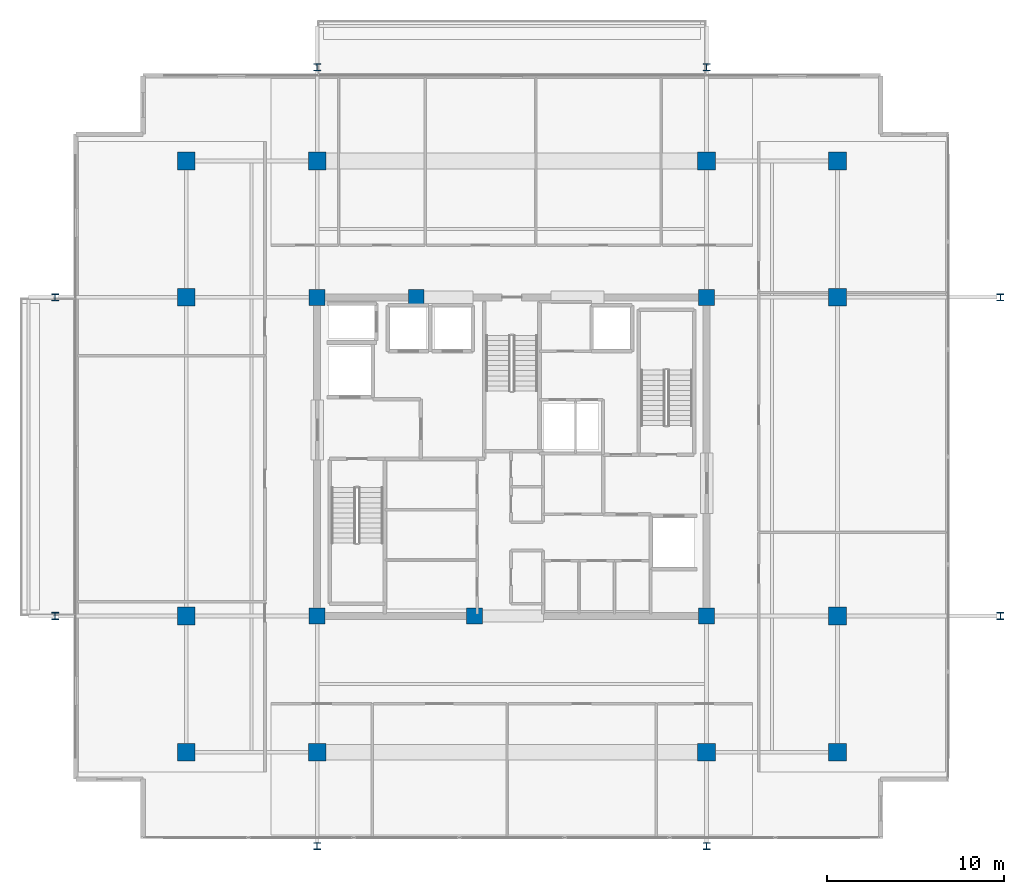
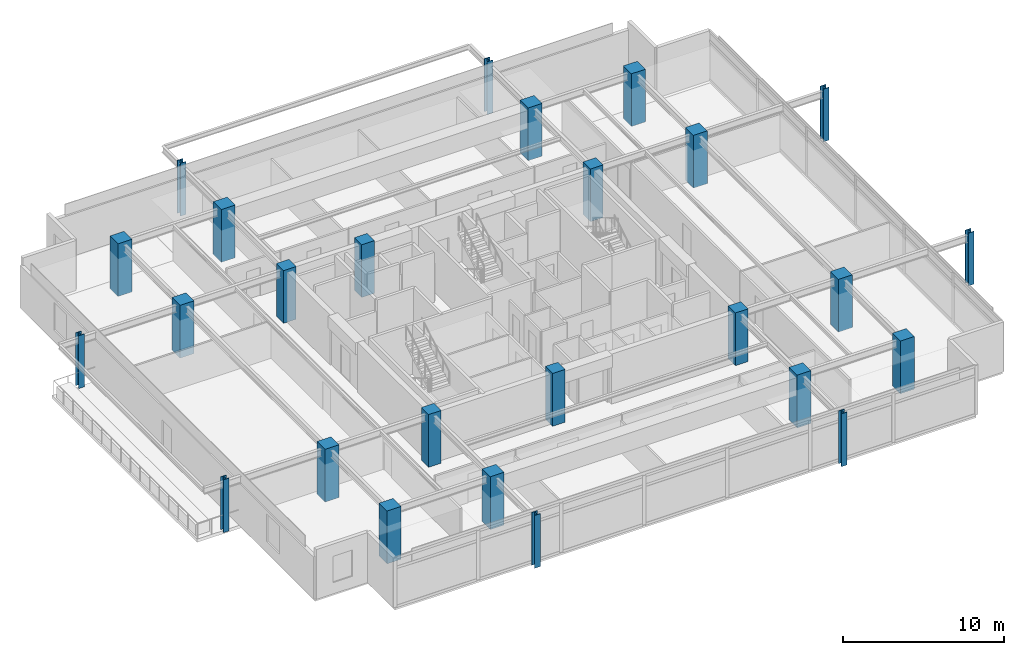
# One storey, part 1 of 20: 26 columns.
"""IFC4 building model written with IfcOpenShell, lengths in metres."""

from ifc_helpers import new_model, si_unit, direction, frame, origin, origin_2d, place, context, subcontext, project, spatial, rectangle, i_section, extrude, material, material_profile, profile_set, type_object, element, save


model = new_model("IFC4")

# Units and contexts
model_context = context("Model", 3, precision=1e-05, world=origin(), true_north=direction((0.0, 1.0)))
body_context = subcontext(model_context, "Body", "Model", "MODEL_VIEW")
ifc_project = project(units=[si_unit("LENGTHUNIT", "METRE"), si_unit("AREAUNIT", "SQUARE_METRE"), si_unit("VOLUMEUNIT", "CUBIC_METRE"), si_unit("PLANEANGLEUNIT", "RADIAN"), si_unit("MASSUNIT", "GRAM", prefix="KILO")], contexts=[model_context])

# Site, building, storey
site_placement = place(None, origin())
site = spatial("IfcSite", under=ifc_project, at=site_placement, CompositionType="ELEMENT")
building_placement = place(site_placement, origin())
building = spatial("IfcBuilding", under=site, at=building_placement, Name="Kovane Verandah Tower", CompositionType="ELEMENT")
storey_placement = place(building_placement, frame((0.0, 0.0, 330.800048828125)))
storey = spatial("IfcBuildingStorey", under=building, at=storey_placement, Name="L77", CompositionType="ELEMENT", Elevation=330.800048828125)

# Columns
ifc_material_1 = material(Name="Concrete C60/75", Category="concrete")
ifc_material_profile_1 = material_profile(ifc_material_1, rectangle(XDim=1.0, YDim=1.0, at=origin_2d()), Name="RC1000x1000")
ifc_profile_set_1 = profile_set([ifc_material_profile_1], Name="Concrete C60/75")
column_type_1 = type_object("IfcColumnType", Name="COL-RC1000", PredefinedType="COLUMN", material=ifc_profile_set_1)
for number, where, z_axis, x_axis, name in (
    (1, (29.0, 10.800048828125, 0.0), (0.0, 0.0, 1.0), (1.0, 0.0, 0.0), "L77 Tower Mega-Column MC-S1"),
    (2, (51.0, 10.800048828125, 0.0), (0.0, 0.0, 1.0), (1.0, 0.0, 0.0), "L77 Tower Mega-Column MC-S2"),
    (3, (29.0, 44.199951171875, 0.0), (0.0, 0.0, 1.0), (1.0, 0.0, 0.0), "L77 Tower Mega-Column MC-N1"),
    (4, (51.0, 44.199951171875, 0.0), (0.0, 0.0, 1.0), (1.0, 0.0, 0.0), "L77 Tower Mega-Column MC-N2"),
    (5, (21.60009765625, 18.5, 0.0), (0.0, 0.0, 1.0), (1.0, 0.0, 0.0), "L77 Tower Mega-Column MC-W1"),
    (6, (21.60009765625, 36.5, 0.0), (0.0, 0.0, 1.0), (1.0, 0.0, 0.0), "L77 Tower Mega-Column MC-W2"),
    (7, (58.39990234375, 18.5, 0.0), (0.0, 0.0, 1.0), (1.0, 0.0, 0.0), "L77 Tower Mega-Column MC-E1"),
    (8, (58.39990234375, 36.5, 0.0), (0.0, 0.0, 1.0), (1.0, 0.0, 0.0), "L77 Tower Mega-Column MC-E2"),
    (9, (21.60009765625, 10.800048828125, 0.0), (0.0, 0.0, 1.0), (1.0, 0.0, 0.0), "L77 Tower Mega-Column MC-SW"),
    (10, (58.39990234375, 10.800048828125, 0.0), (0.0, 0.0, 1.0), (1.0, 0.0, 0.0), "L77 Tower Mega-Column MC-SE"),
    (11, (21.60009765625, 44.199951171875, 0.0), (0.0, 0.0, 1.0), (1.0, 0.0, 0.0), "L77 Tower Mega-Column MC-NW"),
    (12, (58.39990234375, 44.199951171875, 0.0), (0.0, 0.0, 1.0), (1.0, 0.0, 0.0), "L77 Tower Mega-Column MC-NE"),
):
    element("IfcColumn", number, at=place(storey_placement, frame(where, z_axis=z_axis, x_axis=x_axis)), inside=storey, type_object=column_type_1, Name=name, PredefinedType="COLUMN", context=body_context, shape_type="SweptSolid", body=[
        extrude(rectangle(XDim=1.0, YDim=1.0, at=origin_2d()), origin(), (0.0, 0.0, 1.0), 4.0),
    ])
ifc_material_2 = material(Name="Steel S460", Category="steel")
ifc_material_profile_2 = material_profile(ifc_material_2, i_section(OverallWidth=0.403076171875, OverallDepth=0.406494140625, WebThickness=0.026611328125, FlangeThickness=0.04296875, FilletRadius=0.01513671875, at=origin_2d()), Name="UC356x406x340")
ifc_profile_set_2 = profile_set([ifc_material_profile_2], Name="Steel S460")
column_type_2 = type_object("IfcColumnType", Name="COL-UC340", PredefinedType="COLUMN", material=ifc_profile_set_2)
for number, where, z_axis, x_axis, name in (
    (13, (14.199951171875, 18.5, 0.0), (0.0, 0.0, 1.0), (1.0, 0.0, 0.0), "L77 Verandah Perimeter Column VC-W1"),
    (14, (14.199951171875, 36.5, 0.0), (0.0, 0.0, 1.0), (1.0, 0.0, 0.0), "L77 Verandah Perimeter Column VC-W2"),
    (15, (67.60009765625, 18.5, 0.0), (0.0, 0.0, 1.0), (1.0, 0.0, 0.0), "L77 Verandah Perimeter Column VC-E1"),
    (16, (67.60009765625, 36.5, 0.0), (0.0, 0.0, 1.0), (1.0, 0.0, 0.0), "L77 Verandah Perimeter Column VC-E2"),
    (17, (29.0, 5.5, 0.0), (0.0, 0.0, 1.0), (1.0, 0.0, 0.0), "L77 Verandah Perimeter Column VC-S1"),
    (18, (51.0, 5.5, 0.0), (0.0, 0.0, 1.0), (1.0, 0.0, 0.0), "L77 Verandah Perimeter Column VC-S2"),
    (19, (29.0, 49.5, 0.0), (0.0, 0.0, 1.0), (1.0, 0.0, 0.0), "L77 Verandah Perimeter Column VC-N1"),
    (20, (51.0, 49.5, 0.0), (0.0, 0.0, 1.0), (1.0, 0.0, 0.0), "L77 Verandah Perimeter Column VC-N2"),
):
    element("IfcColumn", number, at=place(storey_placement, frame(where, z_axis=z_axis, x_axis=x_axis)), inside=storey, type_object=column_type_2, Name=name, PredefinedType="COLUMN", context=body_context, shape_type="SweptSolid", body=[
        extrude(i_section(OverallWidth=0.403076171875, OverallDepth=0.406494140625, WebThickness=0.026611328125, FlangeThickness=0.04296875, FilletRadius=0.01513671875, at=origin_2d()), origin(), (0.0, 0.0, 1.0), 4.0),
    ])
ifc_material_profile_3 = material_profile(ifc_material_1, rectangle(XDim=0.89990234375, YDim=0.89990234375, at=origin_2d()), Name="RC900x900")
ifc_profile_set_3 = profile_set([ifc_material_profile_3], Name="Concrete C60/75")
column_type_3 = type_object("IfcColumnType", Name="PIL-RC900", PredefinedType="PILASTER", material=ifc_profile_set_3)
for number, where, z_axis, x_axis, name in (
    (21, (29.0, 18.5, 0.0), (0.0, 0.0, 1.0), (1.0, 0.0, 0.0), "L77 Core Pilaster CP-SW"),
    (22, (51.0, 18.5, 0.0), (0.0, 0.0, 1.0), (1.0, 0.0, 0.0), "L77 Core Pilaster CP-SE"),
    (23, (29.0, 36.5, 0.0), (0.0, 0.0, 1.0), (1.0, 0.0, 0.0), "L77 Core Pilaster CP-NW"),
    (24, (51.0, 36.5, 0.0), (0.0, 0.0, 1.0), (1.0, 0.0, 0.0), "L77 Core Pilaster CP-NE"),
    (25, (37.89990234375, 18.5, 0.0), (0.0, 0.0, 1.0), (1.0, 0.0, 0.0), "L77 Core Pilaster CP-S"),
    (26, (34.60009765625, 36.5, 0.0), (0.0, 0.0, 1.0), (1.0, 0.0, 0.0), "L77 Core Pilaster CP-N"),
):
    element("IfcColumn", number, at=place(storey_placement, frame(where, z_axis=z_axis, x_axis=x_axis)), inside=storey, type_object=column_type_3, Name=name, PredefinedType="PILASTER", context=body_context, shape_type="SweptSolid", body=[
        extrude(rectangle(XDim=0.89990234375, YDim=0.89990234375, at=origin_2d()), origin(), (0.0, 0.0, 1.0), 4.0),
    ])

save(model, "model.ifc")
